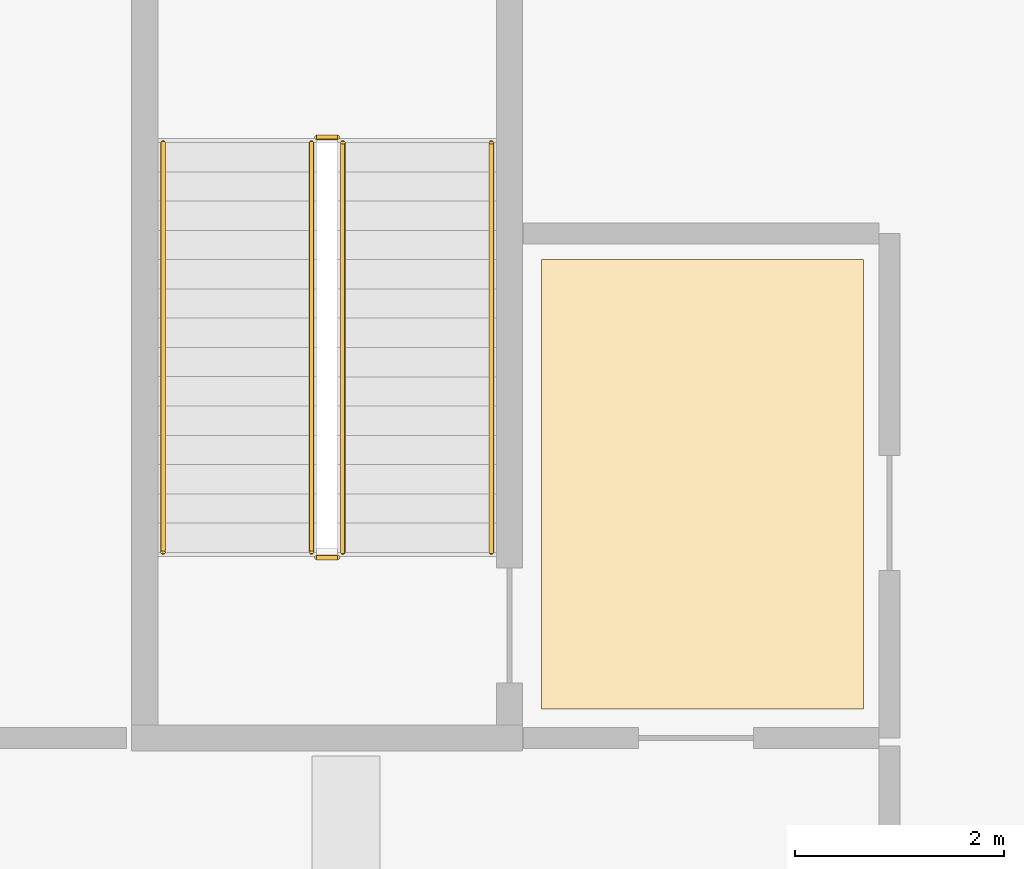
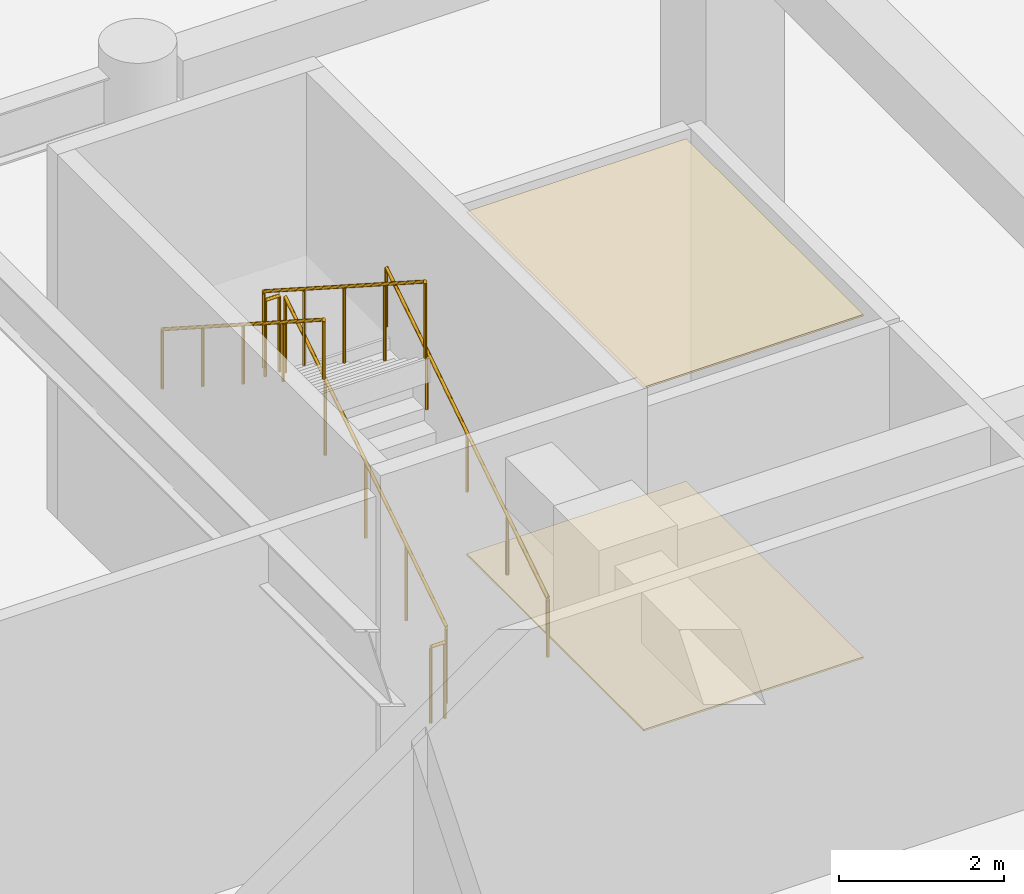
# One storey, part 41 of 46: 6 railings, 2 coverings.
"""IFC4 building model written with IfcOpenShell, lengths in metres."""

from ifc_helpers import new_model, si_unit, direction, frame, origin, origin_2d, place, context, subcontext, project, spatial, polyline, circle, outline, extrude, material, layer, layer_set, type_object, element, save


model = new_model("IFC4")

# Units and contexts
model_context = context("Model", 3, precision=1e-05, world=origin(), true_north=direction((0.0, 1.0)))
body_context = subcontext(model_context, "Body", "Model", "MODEL_VIEW")
ifc_project = project(units=[si_unit("LENGTHUNIT", "METRE"), si_unit("AREAUNIT", "SQUARE_METRE"), si_unit("VOLUMEUNIT", "CUBIC_METRE"), si_unit("PLANEANGLEUNIT", "RADIAN"), si_unit("MASSUNIT", "GRAM", prefix="KILO")], contexts=[model_context])

# Site, building, storey
site_placement = place(None, origin())
site = spatial("IfcSite", under=ifc_project, at=site_placement, CompositionType="ELEMENT")
building_placement = place(site_placement, origin())
building = spatial("IfcBuilding", under=site, at=building_placement, Name="Korimba Cascade Residences", CompositionType="ELEMENT")
storey_placement = place(building_placement, origin())
storey = spatial("IfcBuildingStorey", under=building, at=storey_placement, Name="L00", CompositionType="ELEMENT", Elevation=0.0)

# Coverings
ifc_material_1 = material(Name="Perforated Acoustic Gypsum Ceiling", Category="gypsum")
ifc_layer_1 = layer(ifc_material_1, 0.02490234375)
ifc_layer_set_1 = layer_set([ifc_layer_1], Name="Perforated Acoustic Gypsum Ceiling")
covering_type_1 = type_object("IfcCoveringType", Name="COV-CLG-AC", PredefinedType="CEILING", material=ifc_layer_set_1)
covering_1_placement = place(storey_placement, frame((0.0, 0.0, 5.074951171875)))
element("IfcCovering", 1, at=covering_1_placement, inside=storey, type_object=covering_type_1, Name="L00 Suspended Acoustic Ceiling L00-PL5", PredefinedType="CEILING", context=body_context, shape_type="SweptSolid", body=[
    extrude(outline(polyline([(61.669921875, 82.14990234375), (64.75, 82.14990234375), (64.75, 86.449951171875), (61.669921875, 86.449951171875), (61.669921875, 82.14990234375)])), origin(), (0.0, 0.0, 1.0), 0.025146484375),
])
ifc_material_2 = material(Name="Honed Travertine Stone Flooring", Category="masonry")
ifc_layer_2 = layer(ifc_material_2, 0.02490234375)
ifc_layer_set_2 = layer_set([ifc_layer_2], Name="Honed Travertine Stone Flooring")
covering_type_2 = type_object("IfcCoveringType", Name="COV-FLR-STN", PredefinedType="FLOORING", material=ifc_layer_set_2)
covering_2_placement = place(storey_placement, origin())
element("IfcCovering", 2, at=covering_2_placement, inside=storey, type_object=covering_type_2, Name="L00 Honed Travertine Stone Flooring L00-PL5", PredefinedType="FLOORING", context=body_context, shape_type="SweptSolid", body=[
    extrude(outline(polyline([(61.669921875, 82.14990234375), (64.75, 82.14990234375), (64.75, 86.449951171875), (61.669921875, 86.449951171875), (61.669921875, 82.14990234375)])), origin(), (0.0, 0.0, 1.0), 0.02490234375),
])

# Railings
ifc_material_3 = material(Name="Painted Steel Stairwell Guardrail", Category="steel")
railing_type_1 = type_object("IfcRailingType", Name="RLG-ST-GD1150", PredefinedType="GUARDRAIL", material=ifc_material_3)
railing_1_placement = place(storey_placement, frame((59.77001953125, 83.64990234375, 0.179931640625)))
element("IfcRailing", 3, at=railing_1_placement, inside=storey, type_object=railing_type_1, Name="L00 ST-P5 stair guard 1", PredefinedType="GUARDRAIL", context=body_context, shape_type="SweptSolid", body=[
    extrude(circle(Radius=0.02392578125, at=origin_2d()), frame((0.0, 0.0, 1.1259765625), z_axis=(0.0, 0.841186985886, 0.540744352514), x_axis=(-1.0, 0.0, 0.0)), (0.0, 0.0, 1.0), 4.660400390625),
    extrude(circle(Radius=0.02099609375, at=origin_2d()), origin(), (0.0, 0.0, 1.0), 1.101806640625),
    extrude(circle(Radius=0.02099609375, at=origin_2d()), frame((0.0, 0.97998046875, 0.6298828125)), (0.0, 0.0, 1.0), 1.101806640625),
    extrude(circle(Radius=0.02099609375, at=origin_2d()), frame((0.0, 1.9599609375, 1.260009765625)), (0.0, 0.0, 1.0), 1.101806640625),
    extrude(circle(Radius=0.02099609375, at=origin_2d()), frame((0.0, 2.940185546875, 1.89013671875)), (0.0, 0.0, 1.0), 1.101806640625),
    extrude(circle(Radius=0.02099609375, at=origin_2d()), frame((0.0, 3.920166015625, 2.52001953125)), (0.0, 0.0, 1.0), 1.101806640625),
])
railing_2_placement = place(storey_placement, frame((59.719970703125, 87.6201171875, 2.699951171875)))
element("IfcRailing", 4, at=railing_2_placement, inside=storey, type_object=railing_type_1, Name="L00 ST-P5 stair guard 2", PredefinedType="GUARDRAIL", context=body_context, shape_type="SweptSolid", body=[
    extrude(circle(Radius=0.02392578125, at=origin_2d()), frame((0.0, 0.0, 1.1259765625), z_axis=(-1.0, 0.0, 0.0), x_axis=(0.0, -1.0, 0.0)), (0.0, 0.0, 1.0), 0.199951171875),
    extrude(circle(Radius=0.02099609375, at=origin_2d()), origin(), (0.0, 0.0, 1.0), 1.101806640625),
    extrude(circle(Radius=0.02099609375, at=origin_2d()), frame((-0.199951171875, 0.0, 0.0)), (0.0, 0.0, 1.0), 1.101806640625),
])
railing_3_placement = place(storey_placement, frame((59.469970703125, 87.570068359375, 2.8798828125)))
element("IfcRailing", 5, at=railing_3_placement, inside=storey, type_object=railing_type_1, Name="L00 ST-P5 stair guard 3", PredefinedType="GUARDRAIL", context=body_context, shape_type="SweptSolid", body=[
    extrude(circle(Radius=0.02392578125, at=origin_2d()), frame((0.0, 0.0, 1.1259765625), z_axis=(0.0, -0.841186985886, 0.540744352514), x_axis=(1.0, 0.0, 0.0)), (0.0, 0.0, 1.0), 4.660400390625),
    extrude(circle(Radius=0.02099609375, at=origin_2d()), origin(), (0.0, 0.0, 1.0), 1.101806640625),
    extrude(circle(Radius=0.02099609375, at=origin_2d()), frame((0.0, -0.97998046875, 0.6298828125)), (0.0, 0.0, 1.0), 1.101806640625),
    extrude(circle(Radius=0.02099609375, at=origin_2d()), frame((0.0, -1.9599609375, 1.260009765625)), (0.0, 0.0, 1.0), 1.101806640625),
    extrude(circle(Radius=0.02099609375, at=origin_2d()), frame((0.0, -2.940185546875, 1.89013671875)), (0.0, 0.0, 1.0), 1.101806640625),
    extrude(circle(Radius=0.02099609375, at=origin_2d()), frame((0.0, -3.920166015625, 2.52001953125)), (0.0, 0.0, 1.0), 1.101806640625),
])
railing_4_placement = place(storey_placement, frame((59.719970703125, 83.60009765625, 0.0)))
element("IfcRailing", 6, at=railing_4_placement, inside=storey, type_object=railing_type_1, Name="L00 ST-P5 stair guard 4", PredefinedType="GUARDRAIL", context=body_context, shape_type="SweptSolid", body=[
    extrude(circle(Radius=0.02392578125, at=origin_2d()), frame((0.0, 0.0, 1.1259765625), z_axis=(-1.0, 0.0, 0.0), x_axis=(0.0, -1.0, 0.0)), (0.0, 0.0, 1.0), 0.199951171875),
    extrude(circle(Radius=0.02099609375, at=origin_2d()), origin(), (0.0, 0.0, 1.0), 1.101806640625),
    extrude(circle(Radius=0.02099609375, at=origin_2d()), frame((-0.199951171875, 0.0, 0.0)), (0.0, 0.0, 1.0), 1.101806640625),
])
ifc_material_4 = material(Name="Brushed Stainless Steel Handrail", Category="steel")
railing_type_2 = type_object("IfcRailingType", Name="RLG-ST-HR900", PredefinedType="HANDRAIL", material=ifc_material_4)
railing_5_placement = place(storey_placement, frame((61.18994140625, 83.64990234375, 0.36376953125)))
element("IfcRailing", 7, at=railing_5_placement, inside=storey, type_object=railing_type_2, Name="L00 ST-P5 stair handrail 1", PredefinedType="HANDRAIL", context=body_context, shape_type="SweptSolid", body=[
    extrude(circle(Radius=0.02392578125, at=origin_2d()), frame((0.0, 0.0, 0.8759765625), z_axis=(0.0, 0.841186985886, 0.540744352514), x_axis=(-1.0, 0.0, 0.0)), (0.0, 0.0, 1.0), 4.660400390625),
    extrude(circle(Radius=0.02099609375, at=origin_2d()), origin(), (0.0, 0.0, 1.0), 0.851806640625),
    extrude(circle(Radius=0.02099609375, at=origin_2d()), frame((0.0, 0.97998046875, 0.6298828125)), (0.0, 0.0, 1.0), 0.851806640625),
    extrude(circle(Radius=0.02099609375, at=origin_2d()), frame((0.0, 1.9599609375, 1.260009765625)), (0.0, 0.0, 1.0), 0.851806640625),
    extrude(circle(Radius=0.02099609375, at=origin_2d()), frame((0.0, 2.940185546875, 1.89013671875)), (0.0, 0.0, 1.0), 0.851806640625),
    extrude(circle(Radius=0.02099609375, at=origin_2d()), frame((0.0, 3.920166015625, 2.52001953125)), (0.0, 0.0, 1.0), 0.851806640625),
])
railing_6_placement = place(storey_placement, frame((58.050048828125, 87.570068359375, 3.063720703125)))
element("IfcRailing", 8, at=railing_6_placement, inside=storey, type_object=railing_type_2, Name="L00 ST-P5 stair handrail 2", PredefinedType="HANDRAIL", context=body_context, shape_type="SweptSolid", body=[
    extrude(circle(Radius=0.02392578125, at=origin_2d()), frame((0.0, 0.0, 0.8759765625), z_axis=(0.0, -0.841186985886, 0.540744352514), x_axis=(1.0, 0.0, 0.0)), (0.0, 0.0, 1.0), 4.660400390625),
    extrude(circle(Radius=0.02099609375, at=origin_2d()), origin(), (0.0, 0.0, 1.0), 0.851806640625),
    extrude(circle(Radius=0.02099609375, at=origin_2d()), frame((0.0, -0.97998046875, 0.6298828125)), (0.0, 0.0, 1.0), 0.851806640625),
    extrude(circle(Radius=0.02099609375, at=origin_2d()), frame((0.0, -1.9599609375, 1.260009765625)), (0.0, 0.0, 1.0), 0.851806640625),
    extrude(circle(Radius=0.02099609375, at=origin_2d()), frame((0.0, -2.940185546875, 1.89013671875)), (0.0, 0.0, 1.0), 0.851806640625),
    extrude(circle(Radius=0.02099609375, at=origin_2d()), frame((0.0, -3.920166015625, 2.52001953125)), (0.0, 0.0, 1.0), 0.851806640625),
])

save(model, "model.ifc")
